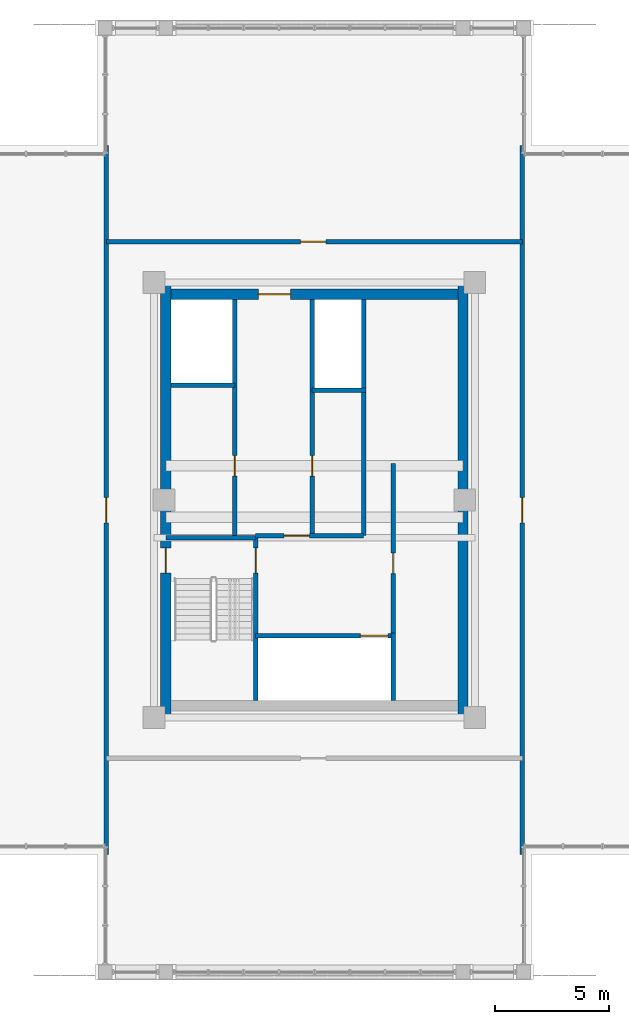
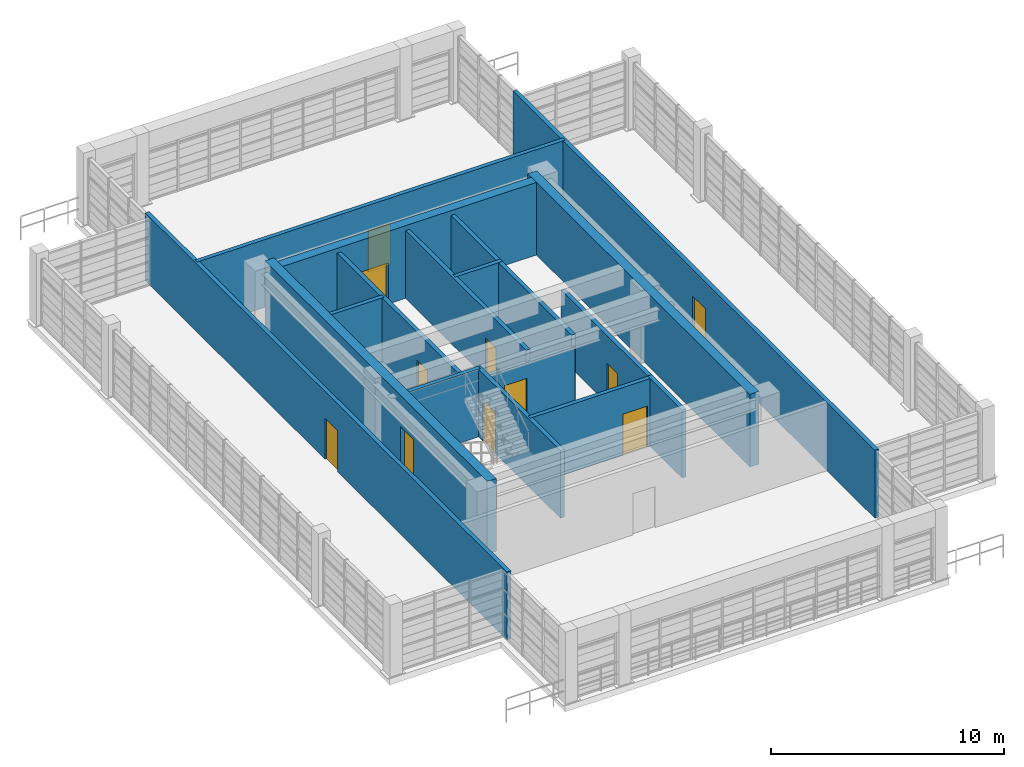
# One storey, part 20 of 24: 18 walls, 11 doors, 11 openings.
"""IFC4 building model written with IfcOpenShell, lengths in metres."""

from ifc_helpers import new_model, si_unit, direction, frame, frame_2d, origin, place, context, subcontext, project, spatial, rectangle, extrude, source, transform, mapped, material, layer, layer_set, type_object, element, fill, save


model = new_model("IFC4")

# Units and contexts
model_context = context("Model", 3, precision=1e-05, world=origin(), true_north=direction((0.0, 1.0)))
body_context = subcontext(model_context, "Body", "Model", "MODEL_VIEW")
ifc_project = project(units=[si_unit("LENGTHUNIT", "METRE"), si_unit("AREAUNIT", "SQUARE_METRE"), si_unit("VOLUMEUNIT", "CUBIC_METRE"), si_unit("PLANEANGLEUNIT", "RADIAN"), si_unit("MASSUNIT", "GRAM", prefix="KILO")], contexts=[model_context])

# Site, building, storey
site_placement = place(None, origin())
site = spatial("IfcSite", under=ifc_project, at=site_placement, CompositionType="ELEMENT")
building_placement = place(site_placement, origin())
building = spatial("IfcBuilding", under=site, at=building_placement, Name="Saelheon Loggia Tower", CompositionType="ELEMENT")
storey_placement = place(building_placement, frame((0.0, 0.0, 252.199951171875)))
storey = spatial("IfcBuildingStorey", under=building, at=storey_placement, Name="CR1", CompositionType="ELEMENT", Elevation=252.199951171875)

# Wall, opening, door
ifc_material_1 = material(Name="Concrete C45/55", Category="concrete")
ifc_layer_1 = layer(ifc_material_1, 0.449951171875)
ifc_layer_set_1 = layer_set([ifc_layer_1], Name="Concrete C45/55")
wall_type_1 = type_object("IfcWallType", Name="Wall_CoreShear_450", PredefinedType="SHEAR", material=ifc_layer_set_1)
wall_1_placement = place(storey_placement, frame((31.5, 17.47998046875, 0.0), z_axis=(0.0, 0.0, 1.0), x_axis=(0.0, 1.0, 0.0)))
wall_1 = element("IfcWall", 1, at=wall_1_placement, inside=storey, type_object=wall_type_1, Name="CR1 Core Shear Wall West", PredefinedType="SHEAR", context=body_context, shape_type="SweptSolid", body=[
    extrude(rectangle(XDim=19.0400390625, YDim=0.449951171875, at=frame_2d((9.52001953125, 0.0))), origin(), (0.0, 0.0, 1.0), 3.800048828125),
])
opening_1_placement = place(wall_1_placement, frame((6.320068359375, 0.0, 0.0)))
opening_1 = element("IfcOpeningElement", 2, at=opening_1_placement, cuts=wall_1, Name="Opening D-FD2", PredefinedType="OPENING", context=body_context, shape_type="SweptSolid", body=[
    extrude(rectangle(XDim=1.10009765625, YDim=2.14990234375, at=frame_2d((0.550048828125, 1.074951171875))), frame((0.0, 0.237060546875, 0.0), z_axis=(0.0, -1.0, 0.0), x_axis=(1.0, 0.0, 0.0)), (0.0, 0.0, 1.0), 0.473876953125),
])
ifc_material_2 = material(Name="Galvanised Steel Fire Door", Category="steel")
door_type_1 = type_object("IfcDoorType", Name="Door_Fire_FD60_1100", OperationType="NOTDEFINED", PredefinedType="DOOR", material=ifc_material_2)
shared_shape_1 = source(origin(), body_context, "Body", "SweptSolid", [
    extrude(rectangle(XDim=1.10009765625, YDim=2.14990234375, at=frame_2d((0.550048828125, 1.074951171875))), frame((0.0, 0.02490234375, 0.0), z_axis=(0.0, -1.0, 0.0), x_axis=(1.0, 0.0, 0.0)), (0.0, 0.0, 1.0), 0.050048828125),
])
door_1_placement = place(opening_1_placement, origin())
door_1 = element("IfcDoor", 3, at=door_1_placement, inside=storey, type_object=door_type_1, Name="CR1 Stair ST1 Corridor Door", OperationType="SINGLE_SWING_LEFT", OverallHeight=2.14990234375, OverallWidth=1.10009765625, PredefinedType="DOOR", context=body_context, shape_type="MappedRepresentation", body=[
    mapped(shared_shape_1, transform((0.0, 0.0, 0.0), scale=1.0)),
])
fill(opening_1, door_1)

# Wall
wall_2_placement = place(storey_placement, frame((44.5, 17.47998046875, 0.0), z_axis=(0.0, 0.0, 1.0), x_axis=(0.0, 1.0, 0.0)))
element("IfcWall", 4, at=wall_2_placement, inside=storey, type_object=wall_type_1, Name="CR1 Core Shear Wall East", PredefinedType="SHEAR", context=body_context, shape_type="SweptSolid", body=[
    extrude(rectangle(XDim=19.0400390625, YDim=0.449951171875, at=frame_2d((9.52001953125, 0.0))), origin(), (0.0, 0.0, 1.0), 3.800048828125),
])

# Wall, opening, door
wall_3_placement = place(storey_placement, frame((31.72509765625, 36.0, 0.0), z_axis=(0.0, 0.0, 1.0), x_axis=(1.0, 0.0, 0.0)))
wall_3 = element("IfcWall", 5, at=wall_3_placement, inside=storey, type_object=wall_type_1, Name="CR1 Core Shear Wall North", PredefinedType="SHEAR", context=body_context, shape_type="SweptSolid", body=[
    extrude(rectangle(XDim=12.5498046875, YDim=0.449951171875, at=frame_2d((6.27490234375, 0.0))), origin(), (0.0, 0.0, 1.0), 3.800048828125),
])
opening_2_placement = place(wall_3_placement, frame((5.224853515625, 0.0, 0.0), z_axis=(0.0, 0.0, 1.0), x_axis=(-1.0, 0.0, 0.0)))
opening_2 = element("IfcOpeningElement", 6, at=opening_2_placement, cuts=wall_3, Name="Opening D-FD2L", PredefinedType="OPENING", context=body_context, shape_type="SweptSolid", body=[
    extrude(rectangle(XDim=1.39990234375, YDim=2.14990234375, at=frame_2d((0.699951171875, 1.074951171875))), frame((0.0, 0.237060546875, 0.0), z_axis=(0.0, -1.0, 0.0), x_axis=(1.0, 0.0, 0.0)), (0.0, 0.0, 1.0), 0.473876953125),
])
ifc_material_3 = material(Name="Galvanised Steel Glazed Lobby Fire Door", Category="steel")
door_type_2 = type_object("IfcDoorType", Name="Door_Fire_FD60_1400", OperationType="NOTDEFINED", PredefinedType="DOOR", material=ifc_material_3)
shared_shape_2 = source(origin(), body_context, "Body", "SweptSolid", [
    extrude(rectangle(XDim=1.39990234375, YDim=2.14990234375, at=frame_2d((0.699951171875, 1.074951171875))), frame((0.0, 0.02490234375, 0.0), z_axis=(0.0, -1.0, 0.0), x_axis=(1.0, 0.0, 0.0)), (0.0, 0.0, 1.0), 0.050048828125),
])
door_2_placement = place(opening_2_placement, origin())
door_2 = element("IfcDoor", 7, at=door_2_placement, inside=storey, type_object=door_type_2, Name="CR1 Passenger Lift Lobby Main Door", OperationType="SINGLE_SWING_RIGHT", OverallHeight=2.14990234375, OverallWidth=1.39990234375, PredefinedType="DOOR", context=body_context, shape_type="MappedRepresentation", body=[
    mapped(shared_shape_2, transform((0.0, 0.0, 0.0), scale=1.0)),
])
fill(opening_2, door_2)

# Wall
ifc_material_4 = material(Name="Concrete C40/50", Category="concrete")
ifc_layer_2 = layer(ifc_material_4, 0.199951171875)
ifc_layer_set_2 = layer_set([ifc_layer_2], Name="Concrete C40/50")
wall_type_2 = type_object("IfcWallType", Name="Wall_Shaft_200", PredefinedType="PARTITIONING", material=ifc_layer_set_2)
wall_4_placement = place(storey_placement, frame((41.449951171875, 18.219970703125, 0.0), z_axis=(0.0, 0.0, 1.0), x_axis=(0.0, 1.0, 0.0)))
element("IfcWall", 8, at=wall_4_placement, inside=storey, type_object=wall_type_2, Name="CW-INT-CR1-BOH-W0", PredefinedType="PARTITIONING", context=body_context, shape_type="SweptSolid", body=[
    extrude(rectangle(XDim=2.9599609375, YDim=0.199951171875, at=frame_2d((1.47998046875, 0.0))), origin(), (0.0, 0.0, 1.0), 3.550048828125),
])

# Wall, opening, door
wall_5_placement = place(storey_placement, frame((41.449951171875, 21.179931640625, 0.0), z_axis=(0.0, 0.0, 1.0), x_axis=(0.0, 1.0, 0.0)))
wall_5 = element("IfcWall", 9, at=wall_5_placement, inside=storey, type_object=wall_type_2, Name="CW-INT-CR1-BOH-W1", PredefinedType="PARTITIONING", context=body_context, shape_type="SweptSolid", body=[
    extrude(rectangle(XDim=7.420166015625, YDim=0.199951171875, at=frame_2d((3.7099609375, 0.0))), origin(), (0.0, 0.0, 1.0), 3.550048828125),
])
opening_3_placement = place(wall_5_placement, frame((2.60009765625, 0.0, 0.0)))
opening_3 = element("IfcOpeningElement", 10, at=opening_3_placement, cuts=wall_5, Name="Opening D-RS1", PredefinedType="OPENING", context=body_context, shape_type="SweptSolid", body=[
    extrude(rectangle(XDim=0.89990234375, YDim=2.10009765625, at=frame_2d((0.449951171875, 1.050048828125))), frame((0.0, 0.112060546875, 0.0), z_axis=(0.0, -1.0, 0.0), x_axis=(1.0, 0.0, 0.0)), (0.0, 0.0, 1.0), 0.223876953125),
])
ifc_material_5 = material(Name="Galvanised Steel Riser Access Door", Category="steel")
door_type_3 = type_object("IfcDoorType", Name="Door_Riser_FD60", OperationType="NOTDEFINED", PredefinedType="DOOR", material=ifc_material_5)
shared_shape_3 = source(origin(), body_context, "Body", "SweptSolid", [
    extrude(rectangle(XDim=0.89990234375, YDim=2.10009765625, at=frame_2d((0.449951171875, 1.050048828125))), frame((0.0, 0.02490234375, 0.0), z_axis=(0.0, -1.0, 0.0), x_axis=(1.0, 0.0, 0.0)), (0.0, 0.0, 1.0), 0.050048828125),
])
door_3_placement = place(opening_3_placement, origin())
door_3 = element("IfcDoor", 11, at=door_3_placement, inside=storey, type_object=door_type_3, Name="CR1 Core Service Store Door", OperationType="SINGLE_SWING_LEFT", OverallHeight=2.10009765625, OverallWidth=0.89990234375, PredefinedType="DOOR", context=body_context, shape_type="MappedRepresentation", body=[
    mapped(shared_shape_3, transform((0.0, 0.0, 0.0), scale=1.0)),
])
fill(opening_3, door_3)

# Walls
wall_6_placement = place(storey_placement, frame((40.14990234375, 25.43994140625, 0.0), z_axis=(0.0, 0.0, 1.0), x_axis=(0.0, 1.0, 0.0)))
element("IfcWall", 12, at=wall_6_placement, inside=storey, type_object=wall_type_2, Name="CR1 Core Service Passage West Wall", PredefinedType="PARTITIONING", context=body_context, shape_type="SweptSolid", body=[
    extrude(rectangle(XDim=6.360107421875, YDim=0.199951171875, at=frame_2d((3.18017578125, 0.0))), origin(), (0.0, 0.0, 1.0), 3.550048828125),
])
wall_7_placement = place(storey_placement, frame((40.14990234375, 31.800048828125, 0.0), z_axis=(0.0, 0.0, 1.0), x_axis=(0.0, 1.0, 0.0)))
element("IfcWall", 13, at=wall_7_placement, inside=storey, type_object=wall_type_2, Name="CR1 East High-Rise Hoistway East Wall", PredefinedType="PARTITIONING", context=body_context, shape_type="SweptSolid", body=[
    extrude(rectangle(XDim=3.97998046875, YDim=0.199951171875, at=frame_2d((1.989990234375, 0.0))), origin(), (0.0, 0.0, 1.0), 3.550048828125),
])

# Wall, opening, door
wall_8_placement = place(storey_placement, frame((35.429931640625, 21.06005859375, 0.0), z_axis=(0.0, 0.0, 1.0), x_axis=(1.0, 0.0, 0.0)))
wall_8 = element("IfcWall", 14, at=wall_8_placement, inside=storey, type_object=wall_type_2, Name="CR1 Firefighting Lift Shaft Front Wall", PredefinedType="PARTITIONING", context=body_context, shape_type="SweptSolid", body=[
    extrude(rectangle(XDim=6.02001953125, YDim=0.199951171875, at=frame_2d((3.010009765625, 0.0))), origin(), (0.0, 0.0, 1.0), 3.550048828125),
])
opening_4_placement = place(wall_8_placement, frame((4.580078125, 0.0, 0.0)))
opening_4 = element("IfcOpeningElement", 15, at=opening_4_placement, cuts=wall_8, Name="Opening LD3", PredefinedType="OPENING", context=body_context, shape_type="SweptSolid", body=[
    extrude(rectangle(XDim=1.199951171875, YDim=2.14990234375, at=frame_2d((0.60009765625, 1.074951171875))), frame((0.0, 0.112060546875, 0.0), z_axis=(0.0, -1.0, 0.0), x_axis=(1.0, 0.0, 0.0)), (0.0, 0.0, 1.0), 0.223876953125),
])
ifc_material_6 = material(Name="Stretcher Lift Stainless Steel 304 Landing Door", Category="steel")
door_type_4 = type_object("IfcDoorType", Name="Door_Lift_LD3", OperationType="DOUBLE_DOOR_SLIDING", PredefinedType="DOOR", material=ifc_material_6)
shared_shape_4 = source(origin(), body_context, "Body", "SweptSolid", [
    extrude(rectangle(XDim=1.199951171875, YDim=2.14990234375, at=frame_2d((0.60009765625, 1.074951171875))), frame((0.0, 0.02490234375, 0.0), z_axis=(0.0, -1.0, 0.0), x_axis=(1.0, 0.0, 0.0)), (0.0, 0.0, 1.0), 0.050048828125),
])
door_4_placement = place(opening_4_placement, origin())
door_4 = element("IfcDoor", 16, at=door_4_placement, inside=storey, type_object=door_type_4, Name="CR1 SV1 Landing Door", OperationType="DOUBLE_DOOR_SLIDING", OverallHeight=2.14990234375, OverallWidth=1.199951171875, PredefinedType="DOOR", context=body_context, shape_type="MappedRepresentation", body=[
    mapped(shared_shape_4, transform((0.0, 0.0, 0.0), scale=1.0)),
])
fill(opening_4, door_4)

wall_9_placement = place(storey_placement, frame((35.429931640625, 25.43994140625, 0.0), z_axis=(0.0, 0.0, 1.0), x_axis=(1.0, 0.0, 0.0)))
wall_9 = element("IfcWall", 17, at=wall_9_placement, inside=storey, type_object=wall_type_2, Name="CR1 Firefighting Lobby Compartment Wall", PredefinedType="PARTITIONING", context=body_context, shape_type="SweptSolid", body=[
    extrude(rectangle(XDim=4.719970703125, YDim=0.199951171875, at=frame_2d((2.35986328125, 0.0))), origin(), (0.0, 0.0, 1.0), 2.9521484375),
])
opening_5_placement = place(wall_9_placement, frame((1.25, 0.0, 0.0)))
opening_5 = element("IfcOpeningElement", 18, at=opening_5_placement, cuts=wall_9, Name="Opening D-FD2", PredefinedType="OPENING", context=body_context, shape_type="SweptSolid", body=[
    extrude(rectangle(XDim=1.10009765625, YDim=2.14990234375, at=frame_2d((0.550048828125, 1.074951171875))), frame((0.0, 0.112060546875, 0.0), z_axis=(0.0, -1.0, 0.0), x_axis=(1.0, 0.0, 0.0)), (0.0, 0.0, 1.0), 0.223876953125),
])
door_5_placement = place(opening_5_placement, origin())
door_5 = element("IfcDoor", 19, at=door_5_placement, inside=storey, type_object=door_type_1, Name="CR1 Firefighting Lobby Door", OperationType="SINGLE_SWING_RIGHT", OverallHeight=2.14990234375, OverallWidth=1.10009765625, PredefinedType="DOOR", context=body_context, shape_type="MappedRepresentation", body=[
    mapped(shared_shape_1, transform((0.0, 0.0, 0.0), scale=1.0)),
])
fill(opening_5, door_5)

wall_10_placement = place(storey_placement, frame((34.52001953125, 25.43994140625, 0.0), z_axis=(0.0, 0.0, 1.0), x_axis=(0.0, 1.0, 0.0)))
wall_10 = element("IfcWall", 20, at=wall_10_placement, inside=storey, type_object=wall_type_2, Name="CR1 West Passenger Lift Bank Wall", PredefinedType="PARTITIONING", context=body_context, shape_type="SweptSolid", body=[
    extrude(rectangle(XDim=10.340087890625, YDim=0.199951171875, at=frame_2d((5.169921875, 0.0))), origin(), (0.0, 0.0, 1.0), 3.550048828125),
])
opening_6_placement = place(wall_10_placement, frame((2.60009765625, 0.0, 0.0)))
opening_6 = element("IfcOpeningElement", 21, at=opening_6_placement, cuts=wall_10, Name="Opening D-RS1", PredefinedType="OPENING", context=body_context, shape_type="SweptSolid", body=[
    extrude(rectangle(XDim=0.89990234375, YDim=2.10009765625, at=frame_2d((0.449951171875, 1.050048828125))), frame((0.0, 0.112060546875, 0.0), z_axis=(0.0, -1.0, 0.0), x_axis=(1.0, 0.0, 0.0)), (0.0, 0.0, 1.0), 0.223876953125),
])
door_6_placement = place(opening_6_placement, origin())
door_6 = element("IfcDoor", 22, at=door_6_placement, inside=storey, type_object=door_type_3, Name="CR1 Core Parcel Room Door", OperationType="SINGLE_SWING_RIGHT", OverallHeight=2.10009765625, OverallWidth=0.89990234375, PredefinedType="DOOR", context=body_context, shape_type="MappedRepresentation", body=[
    mapped(shared_shape_3, transform((0.0, 0.0, 0.0), scale=1.0)),
])
fill(opening_6, door_6)

# Wall
wall_11_placement = place(storey_placement, frame((31.719970703125, 32.02001953125, 0.0), z_axis=(0.0, 0.0, 1.0), x_axis=(1.0, 0.0, 0.0)))
element("IfcWall", 23, at=wall_11_placement, inside=storey, type_object=wall_type_2, Name="CR1 West High-Rise Shaft Divider", PredefinedType="PARTITIONING", context=body_context, shape_type="SweptSolid", body=[
    extrude(rectangle(XDim=2.800048828125, YDim=0.199951171875, at=frame_2d((1.39990234375, 0.0))), origin(), (0.0, 0.0, 1.0), 3.550048828125),
])

# Wall, opening, door
wall_12_placement = place(storey_placement, frame((37.89990234375, 25.43994140625, 0.0), z_axis=(0.0, 0.0, 1.0), x_axis=(0.0, 1.0, 0.0)))
wall_12 = element("IfcWall", 24, at=wall_12_placement, inside=storey, type_object=wall_type_2, Name="CR1 East Passenger Lift Bank Wall", PredefinedType="PARTITIONING", context=body_context, shape_type="SweptSolid", body=[
    extrude(rectangle(XDim=10.340087890625, YDim=0.199951171875, at=frame_2d((5.169921875, 0.0))), origin(), (0.0, 0.0, 1.0), 3.550048828125),
])
opening_7_placement = place(wall_12_placement, frame((2.60009765625, 0.0, 0.0)))
opening_7 = element("IfcOpeningElement", 25, at=opening_7_placement, cuts=wall_12, Name="Opening D-RS1", PredefinedType="OPENING", context=body_context, shape_type="SweptSolid", body=[
    extrude(rectangle(XDim=0.89990234375, YDim=2.10009765625, at=frame_2d((0.449951171875, 1.050048828125))), frame((0.0, 0.112060546875, 0.0), z_axis=(0.0, -1.0, 0.0), x_axis=(1.0, 0.0, 0.0)), (0.0, 0.0, 1.0), 0.223876953125),
])
door_7_placement = place(opening_7_placement, origin())
door_7 = element("IfcDoor", 26, at=door_7_placement, inside=storey, type_object=door_type_3, Name="CR1 Upper Storage Room Door", OperationType="SINGLE_SWING_LEFT", OverallHeight=2.10009765625, OverallWidth=0.89990234375, PredefinedType="DOOR", context=body_context, shape_type="MappedRepresentation", body=[
    mapped(shared_shape_3, transform((0.0, 0.0, 0.0), scale=1.0)),
])
fill(opening_7, door_7)

# Wall
wall_13_placement = place(storey_placement, frame((37.89990234375, 31.800048828125, 0.0), z_axis=(0.0, 0.0, 1.0), x_axis=(1.0, 0.0, 0.0)))
element("IfcWall", 27, at=wall_13_placement, inside=storey, type_object=wall_type_2, Name="CR1 East High-Rise Shaft Divider", PredefinedType="PARTITIONING", context=body_context, shape_type="SweptSolid", body=[
    extrude(rectangle(XDim=2.35009765625, YDim=0.199951171875, at=frame_2d((1.175048828125, 0.0))), origin(), (0.0, 0.0, 1.0), 3.550048828125),
])

# Wall, opening, door
wall_14_placement = place(storey_placement, frame((28.89990234375, 11.5, 0.0), z_axis=(0.0, 0.0, 1.0), x_axis=(0.0, 1.0, 0.0)))
wall_14 = element("IfcWall", 28, at=wall_14_placement, inside=storey, type_object=wall_type_2, Name="PW-CR1-W", PredefinedType="PARTITIONING", context=body_context, shape_type="SweptSolid", body=[
    extrude(rectangle(XDim=31.0, YDim=0.199951171875, at=frame_2d((15.5, 0.0))), origin(), (0.0, 0.0, 1.0), 3.550048828125),
])
opening_8_placement = place(wall_14_placement, frame((14.5, 0.0, 0.0)))
opening_8 = element("IfcOpeningElement", 29, at=opening_8_placement, cuts=wall_14, Name="Opening D-FD2", PredefinedType="OPENING", context=body_context, shape_type="SweptSolid", body=[
    extrude(rectangle(XDim=1.10009765625, YDim=2.14990234375, at=frame_2d((0.550048828125, 1.074951171875))), frame((0.0, 0.112060546875, 0.0), z_axis=(0.0, -1.0, 0.0), x_axis=(1.0, 0.0, 0.0)), (0.0, 0.0, 1.0), 0.223876953125),
])
door_8_placement = place(opening_8_placement, origin())
door_8 = element("IfcDoor", 30, at=door_8_placement, inside=storey, type_object=door_type_1, Name="CR1 Cooling Tower Bay Door", OperationType="SINGLE_SWING_RIGHT", OverallHeight=2.14990234375, OverallWidth=1.10009765625, PredefinedType="DOOR", context=body_context, shape_type="MappedRepresentation", body=[
    mapped(shared_shape_1, transform((0.0, 0.0, 0.0), scale=1.0)),
])
fill(opening_8, door_8)

wall_15_placement = place(storey_placement, frame((47.10009765625, 11.5, 0.0), z_axis=(0.0, 0.0, 1.0), x_axis=(0.0, 1.0, 0.0)))
wall_15 = element("IfcWall", 31, at=wall_15_placement, inside=storey, type_object=wall_type_2, Name="PW-CR1-E", PredefinedType="PARTITIONING", context=body_context, shape_type="SweptSolid", body=[
    extrude(rectangle(XDim=31.0, YDim=0.199951171875, at=frame_2d((15.5, 0.0))), origin(), (0.0, 0.0, 1.0), 3.550048828125),
])
opening_9_placement = place(wall_15_placement, frame((14.5, 0.0, 0.0)))
opening_9 = element("IfcOpeningElement", 32, at=opening_9_placement, cuts=wall_15, Name="Opening D-FD2", PredefinedType="OPENING", context=body_context, shape_type="SweptSolid", body=[
    extrude(rectangle(XDim=1.10009765625, YDim=2.14990234375, at=frame_2d((0.550048828125, 1.074951171875))), frame((0.0, 0.112060546875, 0.0), z_axis=(0.0, -1.0, 0.0), x_axis=(1.0, 0.0, 0.0)), (0.0, 0.0, 1.0), 0.223876953125),
])
door_9_placement = place(opening_9_placement, origin())
door_9 = element("IfcDoor", 33, at=door_9_placement, inside=storey, type_object=door_type_1, Name="CR1 Chiller Plant Door", OperationType="SINGLE_SWING_LEFT", OverallHeight=2.14990234375, OverallWidth=1.10009765625, PredefinedType="DOOR", context=body_context, shape_type="MappedRepresentation", body=[
    mapped(shared_shape_1, transform((0.0, 0.0, 0.0), scale=1.0)),
])
fill(opening_9, door_9)

wall_16_placement = place(storey_placement, frame((28.89990234375, 38.300048828125, 0.0), z_axis=(0.0, 0.0, 1.0), x_axis=(1.0, 0.0, 0.0)))
wall_16 = element("IfcWall", 34, at=wall_16_placement, inside=storey, type_object=wall_type_2, Name="PW-CR1-N", PredefinedType="PARTITIONING", context=body_context, shape_type="SweptSolid", body=[
    extrude(rectangle(XDim=18.2001953125, YDim=0.199951171875, at=frame_2d((9.10009765625, 0.0))), origin(), (0.0, 0.0, 1.0), 3.550048828125),
])
opening_10_placement = place(wall_16_placement, frame((8.5, 0.0, 0.0)))
opening_10 = element("IfcOpeningElement", 35, at=opening_10_placement, cuts=wall_16, Name="Opening D-FD2", PredefinedType="OPENING", context=body_context, shape_type="SweptSolid", body=[
    extrude(rectangle(XDim=1.10009765625, YDim=2.14990234375, at=frame_2d((0.550048828125, 1.074951171875))), frame((0.0, 0.112060546875, 0.0), z_axis=(0.0, -1.0, 0.0), x_axis=(1.0, 0.0, 0.0)), (0.0, 0.0, 1.0), 0.223876953125),
])
door_10_placement = place(opening_10_placement, origin())
door_10 = element("IfcDoor", 36, at=door_10_placement, inside=storey, type_object=door_type_1, Name="CR1 Lift Machine Room Door", OperationType="SINGLE_SWING_LEFT", OverallHeight=2.14990234375, OverallWidth=1.10009765625, PredefinedType="DOOR", context=body_context, shape_type="MappedRepresentation", body=[
    mapped(shared_shape_1, transform((0.0, 0.0, 0.0), scale=1.0)),
])
fill(opening_10, door_10)

ifc_layer_3 = layer(ifc_material_1, 0.199951171875)
ifc_layer_set_3 = layer_set([ifc_layer_3], Name="Concrete C45/55")
wall_type_3 = type_object("IfcWallType", Name="Wall_StairShaft_RC200", PredefinedType="SOLIDWALL", material=ifc_layer_set_3)
wall_17_placement = place(storey_placement, frame((35.429931640625, 18.219970703125, 0.0), z_axis=(0.0, 0.0, 1.0), x_axis=(0.0, 1.0, 0.0)))
wall_17 = element("IfcWall", 37, at=wall_17_placement, inside=storey, type_object=wall_type_3, Name="CR1 Stair ST1 Shaft Wall", PredefinedType="SOLIDWALL", context=body_context, shape_type="SweptSolid", body=[
    extrude(rectangle(XDim=7.219970703125, YDim=0.199951171875, at=frame_2d((3.60986328125, 0.0))), origin(), (0.0, 0.0, 1.0), 3.550048828125),
])
opening_11_placement = place(wall_17_placement, frame((6.68017578125, 0.0, 0.0), z_axis=(0.0, 0.0, 1.0), x_axis=(-1.0, 0.0, 0.0)))
opening_11 = element("IfcOpeningElement", 38, at=opening_11_placement, cuts=wall_17, Name="Opening D-FD2", PredefinedType="OPENING", context=body_context, shape_type="SweptSolid", body=[
    extrude(rectangle(XDim=1.10009765625, YDim=2.14990234375, at=frame_2d((0.550048828125, 1.074951171875))), frame((0.0, 0.112060546875, 0.0), z_axis=(0.0, -1.0, 0.0), x_axis=(1.0, 0.0, 0.0)), (0.0, 0.0, 1.0), 0.223876953125),
])
door_11_placement = place(opening_11_placement, origin())
door_11 = element("IfcDoor", 39, at=door_11_placement, inside=storey, type_object=door_type_1, Name="CR1 Stair ST1 Lobby Door", OperationType="SINGLE_SWING_LEFT", OverallHeight=2.14990234375, OverallWidth=1.10009765625, PredefinedType="DOOR", context=body_context, shape_type="MappedRepresentation", body=[
    mapped(shared_shape_1, transform((0.0, 0.0, 0.0), scale=1.0)),
])
fill(opening_11, door_11)

# Wall
wall_18_placement = place(storey_placement, frame((31.5, 25.35009765625, 0.0), z_axis=(0.0, 0.0, 1.0), x_axis=(1.0, 0.0, 0.0)))
element("IfcWall", 40, at=wall_18_placement, inside=storey, type_object=wall_type_3, Name="CR1 Stair ST1 North Wall", PredefinedType="SOLIDWALL", context=body_context, shape_type="SweptSolid", body=[
    extrude(rectangle(XDim=3.929931640625, YDim=0.199951171875, at=frame_2d((1.96484375, 0.0))), origin(), (0.0, 0.0, 1.0), 3.550048828125),
])

save(model, "model.ifc")
